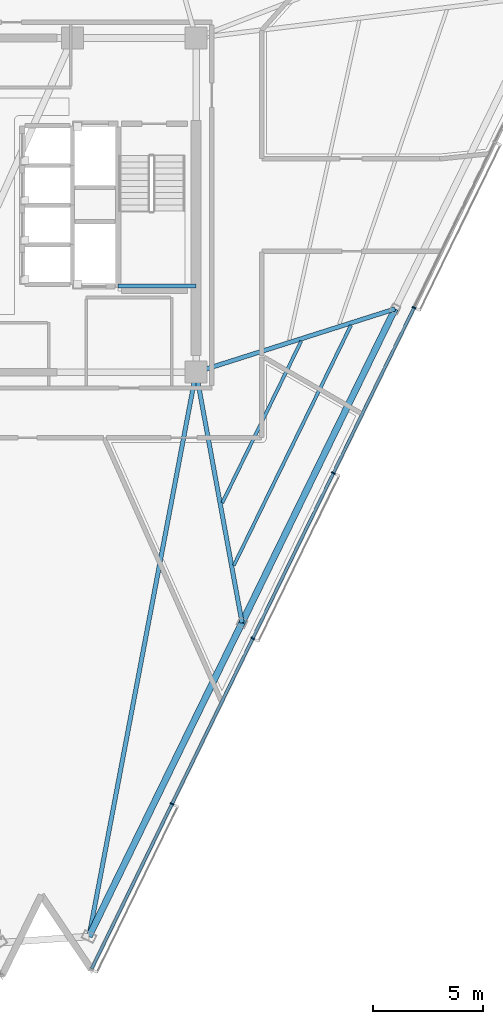
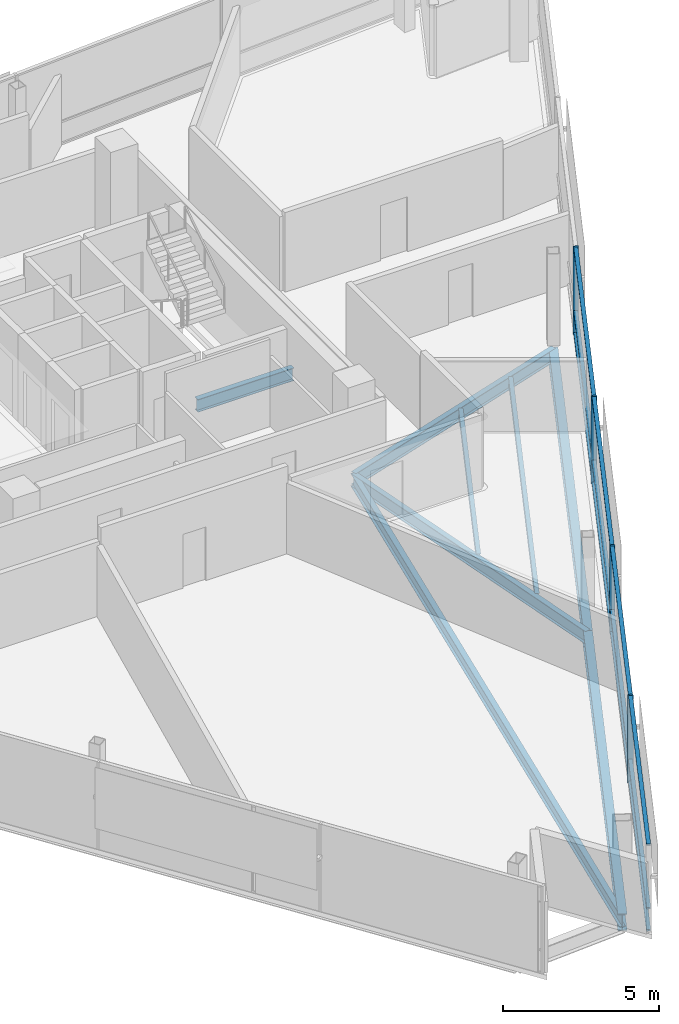
# One storey, part 4 of 16: 16 members, 8 beams, 1 element without a shape of its own.
"""IFC4 building model written with IfcOpenShell, lengths in metres."""

from ifc_helpers import new_model, si_unit, direction, frame, origin, origin_2d, place, context, subcontext, project, spatial, rectangle, i_section, extrude, material, layer, layer_set, material_profile, profile_set, type_object, element, aggregate, save


model = new_model("IFC4")

# Units and contexts
model_context = context("Model", 3, precision=1e-05, world=origin(), true_north=direction((0.0, 1.0)))
body_context = subcontext(model_context, "Body", "Model", "MODEL_VIEW")
ifc_project = project(units=[si_unit("LENGTHUNIT", "METRE"), si_unit("AREAUNIT", "SQUARE_METRE"), si_unit("VOLUMEUNIT", "CUBIC_METRE"), si_unit("PLANEANGLEUNIT", "RADIAN"), si_unit("MASSUNIT", "GRAM", prefix="KILO")], contexts=[model_context])

# Site, building, storey
site_placement = place(None, origin())
site = spatial("IfcSite", under=ifc_project, at=site_placement, CompositionType="ELEMENT")
building_placement = place(site_placement, origin())
building = spatial("IfcBuilding", under=site, at=building_placement, Name="Tharavind Bronze Gate", CompositionType="ELEMENT")
storey_placement = place(building_placement, frame((0.0, 0.0, 260.60009765625)))
storey = spatial("IfcBuildingStorey", under=building, at=storey_placement, Name="L67", CompositionType="ELEMENT", Elevation=260.60009765625)

# Curtain wall, members
ifc_material_1 = material(Name="Anodised Bronze Aluminium", Category="aluminium")
ifc_layer = layer(ifc_material_1, 0.219970703125)
ifc_layer_set = layer_set([ifc_layer], Name="Anodised Bronze Aluminium")
curtain_wall_type = type_object("IfcCurtainWallType", Name="UNITISED CURTAIN WALL UPPER OFFICE", PredefinedType="USERDEFINED", material=ifc_layer_set)
curtain_wall_placement = place(storey_placement, origin())
curtain_wall = element("IfcCurtainWall", 1, at=curtain_wall_placement, inside=storey, type_object=curtain_wall_type, Name="L67 unitised curtain wall upper office CW-L67-S2", ObjectType="UNITISED CURTAIN WALL", PredefinedType="USERDEFINED")
member_type_1 = type_object("IfcMemberType", Name="CURTAIN WALL BRONZE MULLION 65X180", PredefinedType="MULLION", material=ifc_material_1)
member_1_placement = place(storey_placement, frame((7.80419921875, -27.236572265625, 0.0), z_axis=(0.0, 0.0, 1.0), x_axis=(0.43837271548, 0.898793281196, 0.0)))
member_1 = element("IfcMember", 2, at=member_1_placement, type_object=member_type_1, Name="CW-L67-S2 mullion 2", PredefinedType="MULLION", context=body_context, shape_type="SweptSolid", body=[
    extrude(rectangle(XDim=0.06494140625, YDim=0.179931640625, at=origin_2d()), origin(), (0.0, 0.0, 1.0), 3.419921875),
])
member_2_placement = place(storey_placement, frame((11.474365234375, -19.711669921875, 0.0), z_axis=(0.0, 0.0, 1.0), x_axis=(0.43837271548, 0.898793281196, 0.0)))
member_2 = element("IfcMember", 3, at=member_2_placement, type_object=member_type_1, Name="CW-L67-S2 mullion 3", PredefinedType="MULLION", context=body_context, shape_type="SweptSolid", body=[
    extrude(rectangle(XDim=0.06494140625, YDim=0.179931640625, at=origin_2d()), origin(), (0.0, 0.0, 1.0), 3.419921875),
])
member_3_placement = place(storey_placement, frame((15.144775390625, -12.1865234375, 0.0), z_axis=(0.0, 0.0, 1.0), x_axis=(0.43837271548, 0.898793281196, 0.0)))
member_3 = element("IfcMember", 4, at=member_3_placement, type_object=member_type_1, Name="CW-L67-S2 mullion 4", PredefinedType="MULLION", context=body_context, shape_type="SweptSolid", body=[
    extrude(rectangle(XDim=0.06494140625, YDim=0.179931640625, at=origin_2d()), origin(), (0.0, 0.0, 1.0), 3.419921875),
])
member_4_placement = place(storey_placement, frame((18.81494140625, -4.66162109375, 0.0), z_axis=(0.0, 0.0, 1.0), x_axis=(0.43837271548, 0.898793281196, 0.0)))
member_4 = element("IfcMember", 5, at=member_4_placement, type_object=member_type_1, Name="CW-L67-S2 mullion 5", PredefinedType="MULLION", context=body_context, shape_type="SweptSolid", body=[
    extrude(rectangle(XDim=0.06494140625, YDim=0.179931640625, at=origin_2d()), origin(), (0.0, 0.0, 1.0), 3.419921875),
])
member_type_2 = type_object("IfcMemberType", Name="CURTAIN WALL BRONZE TRANSOM 65X140", PredefinedType="USERDEFINED", material=ifc_material_1)
member_5_placement = place(storey_placement, frame((5.968994140625, -30.9990234375, 0.0), z_axis=(0.0, 0.0, 1.0), x_axis=(0.43837271548, 0.898793281196, 0.0)))
member_5 = element("IfcMember", 6, at=member_5_placement, type_object=member_type_2, Name="CW-L67-S2 transom TB1", ObjectType="TRANSOM", PredefinedType="USERDEFINED", context=body_context, shape_type="SweptSolid", body=[
    extrude(rectangle(XDim=8.3193359375, YDim=0.139892578125, at=origin_2d()), origin(), (0.0, 0.0, 1.0), 0.06494140625),
])
member_6_placement = place(storey_placement, frame((5.968994140625, -30.9990234375, 0.867431640625), z_axis=(0.0, 0.0, 1.0), x_axis=(0.43837271548, 0.898793281196, 0.0)))
member_6 = element("IfcMember", 7, at=member_6_placement, type_object=member_type_2, Name="CW-L67-S2 transom TS1", ObjectType="TRANSOM", PredefinedType="USERDEFINED", context=body_context, shape_type="SweptSolid", body=[
    extrude(rectangle(XDim=8.3193359375, YDim=0.139892578125, at=origin_2d()), origin(), (0.0, 0.0, 1.0), 0.06494140625),
])
member_7_placement = place(storey_placement, frame((5.968994140625, -30.9990234375, 3.35498046875), z_axis=(0.0, 0.0, 1.0), x_axis=(0.43837271548, 0.898793281196, 0.0)))
member_7 = element("IfcMember", 8, at=member_7_placement, type_object=member_type_2, Name="CW-L67-S2 transom TT1", ObjectType="TRANSOM", PredefinedType="USERDEFINED", context=body_context, shape_type="SweptSolid", body=[
    extrude(rectangle(XDim=8.3193359375, YDim=0.139892578125, at=origin_2d()), origin(), (0.0, 0.0, 1.0), 0.06494140625),
])
member_8_placement = place(storey_placement, frame((9.639404296875, -23.47412109375, 0.0), z_axis=(0.0, 0.0, 1.0), x_axis=(0.43837271548, 0.898793281196, 0.0)))
member_8 = element("IfcMember", 9, at=member_8_placement, type_object=member_type_2, Name="CW-L67-S2 transom TB2", ObjectType="TRANSOM", PredefinedType="USERDEFINED", context=body_context, shape_type="SweptSolid", body=[
    extrude(rectangle(XDim=8.3193359375, YDim=0.139892578125, at=origin_2d()), origin(), (0.0, 0.0, 1.0), 0.06494140625),
])
member_9_placement = place(storey_placement, frame((9.639404296875, -23.47412109375, 0.867431640625), z_axis=(0.0, 0.0, 1.0), x_axis=(0.43837271548, 0.898793281196, 0.0)))
member_9 = element("IfcMember", 10, at=member_9_placement, type_object=member_type_2, Name="CW-L67-S2 transom TS2", ObjectType="TRANSOM", PredefinedType="USERDEFINED", context=body_context, shape_type="SweptSolid", body=[
    extrude(rectangle(XDim=8.3193359375, YDim=0.139892578125, at=origin_2d()), origin(), (0.0, 0.0, 1.0), 0.06494140625),
])
member_10_placement = place(storey_placement, frame((9.639404296875, -23.47412109375, 3.35498046875), z_axis=(0.0, 0.0, 1.0), x_axis=(0.43837271548, 0.898793281196, 0.0)))
member_10 = element("IfcMember", 11, at=member_10_placement, type_object=member_type_2, Name="CW-L67-S2 transom TT2", ObjectType="TRANSOM", PredefinedType="USERDEFINED", context=body_context, shape_type="SweptSolid", body=[
    extrude(rectangle(XDim=8.3193359375, YDim=0.139892578125, at=origin_2d()), origin(), (0.0, 0.0, 1.0), 0.06494140625),
])
member_11_placement = place(storey_placement, frame((13.3095703125, -15.94921875, 0.0), z_axis=(0.0, 0.0, 1.0), x_axis=(0.43837271548, 0.898793281196, 0.0)))
member_11 = element("IfcMember", 12, at=member_11_placement, type_object=member_type_2, Name="CW-L67-S2 transom TB3", ObjectType="TRANSOM", PredefinedType="USERDEFINED", context=body_context, shape_type="SweptSolid", body=[
    extrude(rectangle(XDim=8.3193359375, YDim=0.139892578125, at=origin_2d()), origin(), (0.0, 0.0, 1.0), 0.06494140625),
])
member_12_placement = place(storey_placement, frame((13.3095703125, -15.94921875, 0.867431640625), z_axis=(0.0, 0.0, 1.0), x_axis=(0.43837271548, 0.898793281196, 0.0)))
member_12 = element("IfcMember", 13, at=member_12_placement, type_object=member_type_2, Name="CW-L67-S2 transom TS3", ObjectType="TRANSOM", PredefinedType="USERDEFINED", context=body_context, shape_type="SweptSolid", body=[
    extrude(rectangle(XDim=8.3193359375, YDim=0.139892578125, at=origin_2d()), origin(), (0.0, 0.0, 1.0), 0.06494140625),
])
member_13_placement = place(storey_placement, frame((13.3095703125, -15.94921875, 3.35498046875), z_axis=(0.0, 0.0, 1.0), x_axis=(0.43837271548, 0.898793281196, 0.0)))
member_13 = element("IfcMember", 14, at=member_13_placement, type_object=member_type_2, Name="CW-L67-S2 transom TT3", ObjectType="TRANSOM", PredefinedType="USERDEFINED", context=body_context, shape_type="SweptSolid", body=[
    extrude(rectangle(XDim=8.3193359375, YDim=0.139892578125, at=origin_2d()), origin(), (0.0, 0.0, 1.0), 0.06494140625),
])
member_14_placement = place(storey_placement, frame((16.979736328125, -8.424072265625, 0.0), z_axis=(0.0, 0.0, 1.0), x_axis=(0.43837271548, 0.898793281196, 0.0)))
member_14 = element("IfcMember", 15, at=member_14_placement, type_object=member_type_2, Name="CW-L67-S2 transom TB4", ObjectType="TRANSOM", PredefinedType="USERDEFINED", context=body_context, shape_type="SweptSolid", body=[
    extrude(rectangle(XDim=8.3193359375, YDim=0.139892578125, at=origin_2d()), origin(), (0.0, 0.0, 1.0), 0.06494140625),
])
member_15_placement = place(storey_placement, frame((16.979736328125, -8.424072265625, 0.867431640625), z_axis=(0.0, 0.0, 1.0), x_axis=(0.43837271548, 0.898793281196, 0.0)))
member_15 = element("IfcMember", 16, at=member_15_placement, type_object=member_type_2, Name="CW-L67-S2 transom TS4", ObjectType="TRANSOM", PredefinedType="USERDEFINED", context=body_context, shape_type="SweptSolid", body=[
    extrude(rectangle(XDim=8.3193359375, YDim=0.139892578125, at=origin_2d()), origin(), (0.0, 0.0, 1.0), 0.06494140625),
])
member_16_placement = place(storey_placement, frame((16.979736328125, -8.424072265625, 3.35498046875), z_axis=(0.0, 0.0, 1.0), x_axis=(0.43837271548, 0.898793281196, 0.0)))
member_16 = element("IfcMember", 17, at=member_16_placement, type_object=member_type_2, Name="CW-L67-S2 transom TT4", ObjectType="TRANSOM", PredefinedType="USERDEFINED", context=body_context, shape_type="SweptSolid", body=[
    extrude(rectangle(XDim=8.3193359375, YDim=0.139892578125, at=origin_2d()), origin(), (0.0, 0.0, 1.0), 0.06494140625),
])
aggregate(curtain_wall, [member_1, member_2, member_3, member_4, member_5, member_6, member_7, member_8, member_9, member_10, member_11, member_12, member_13, member_14, member_15, member_16])

# Beams
ifc_material_2 = material(Name="Steel S355", Category="steel")
ifc_material_profile_1 = material_profile(ifc_material_2, i_section(OverallWidth=0.300048828125, OverallDepth=0.64990234375, WebThickness=0.01611328125, FlangeThickness=0.031005859375, at=origin_2d()), Name="HE650B")
ifc_profile_set_1 = profile_set([ifc_material_profile_1], Name="Steel S355")
beam_type_1 = type_object("IfcBeamType", Name="PRIMARY GIRDER HE650B", PredefinedType="USERDEFINED", material=ifc_profile_set_1)
for number, where, z_axis, x_axis, name in (
    (18, (4.029296875, -33.26513671875, -0.505126953125), (0.43838485681, 0.898787359346, 0.0), (-0.898787359346, 0.43838485681, 0.0), "L67 primary girder he650b BM-L67-PRG05"),
    (19, (10.990234375, -18.99365234375, -0.505126953125), (0.438366378116, 0.898796372121, 0.0), (-0.898796372121, 0.438366378116, 0.0), "L67 primary girder he650b BM-L67-PRG06"),
):
    element("IfcBeam", number, at=place(storey_placement, frame(where, z_axis=z_axis, x_axis=x_axis)), inside=storey, type_object=beam_type_1, Name=name, ObjectType="GIRDER", PredefinedType="USERDEFINED", context=body_context, shape_type="SweptSolid", body=[
        extrude(i_section(OverallWidth=0.300048828125, OverallDepth=0.64990234375, WebThickness=0.01611328125, FlangeThickness=0.031005859375, at=origin_2d()), origin(), (0.0, 0.0, 1.0), 15.878662109375),
    ])
ifc_material_profile_2 = material_profile(ifc_material_2, i_section(OverallWidth=0.199951171875, OverallDepth=0.5, WebThickness=0.01025390625, FlangeThickness=0.01611328125, at=origin_2d()), Name="IPE500")
ifc_profile_set_2 = profile_set([ifc_material_profile_2], Name="Steel S355")
beam_type_2 = type_object("IfcBeamType", Name="PRIMARY GIRDER IPE500", PredefinedType="USERDEFINED", material=ifc_profile_set_2)
beam_1_placement = place(storey_placement, frame((5.35009765625, -3.679931640625, 1.349853515625), z_axis=(1.0, 0.0, 0.0), x_axis=(0.0, 1.0, 0.0)))
element("IfcBeam", 20, at=beam_1_placement, inside=storey, type_object=beam_type_2, Name="L67 primary girder ipe500 BM-LD-ST2-L67-1", ObjectType="GIRDER", PredefinedType="USERDEFINED", context=body_context, shape_type="SweptSolid", body=[
    extrude(i_section(OverallWidth=0.199951171875, OverallDepth=0.5, WebThickness=0.01025390625, FlangeThickness=0.01611328125, at=origin_2d()), origin(), (0.0, 0.0, 1.0), 3.5498046875),
])
beam_2_placement = place(storey_placement, frame((4.029296875, -33.26513671875, -0.43017578125), z_axis=(0.186448126873, 0.982464806487, 0.0), x_axis=(-0.982464806487, 0.186448126873, 0.0)))
element("IfcBeam", 21, at=beam_2_placement, inside=storey, type_object=beam_type_2, Name="L67 primary girder ipe500 BM-L67-RAD05", ObjectType="GIRDER", PredefinedType="USERDEFINED", context=body_context, shape_type="SweptSolid", body=[
    extrude(i_section(OverallWidth=0.199951171875, OverallDepth=0.5, WebThickness=0.01025390625, FlangeThickness=0.01611328125, at=origin_2d()), origin(), (0.0, 0.0, 1.0), 26.123046875),
])
beam_3_placement = place(storey_placement, frame((10.990234375, -18.99365234375, -0.43017578125), z_axis=(-0.180454290484, 0.98358337168, 0.0), x_axis=(-0.98358337168, -0.180454290484, 0.0)))
element("IfcBeam", 22, at=beam_3_placement, inside=storey, type_object=beam_type_2, Name="L67 primary girder ipe500 BM-L67-RAD06", ObjectType="GIRDER", PredefinedType="USERDEFINED", context=body_context, shape_type="SweptSolid", body=[
    extrude(i_section(OverallWidth=0.199951171875, OverallDepth=0.5, WebThickness=0.01025390625, FlangeThickness=0.01611328125, at=origin_2d()), origin(), (0.0, 0.0, 1.0), 11.583740234375),
])
beam_4_placement = place(storey_placement, frame((17.950927734375, -4.721923828125, -0.43017578125), z_axis=(-0.952977418186, -0.303041318021, 0.0), x_axis=(0.303041318021, -0.952977418186, 0.0)))
element("IfcBeam", 23, at=beam_4_placement, inside=storey, type_object=beam_type_2, Name="L67 primary girder ipe500 BM-L67-RAD07", ObjectType="GIRDER", PredefinedType="USERDEFINED", context=body_context, shape_type="SweptSolid", body=[
    extrude(i_section(OverallWidth=0.199951171875, OverallDepth=0.5, WebThickness=0.01025390625, FlangeThickness=0.01611328125, at=origin_2d()), origin(), (0.0, 0.0, 1.0), 9.49755859375),
])
ifc_material_profile_3 = material_profile(ifc_material_2, i_section(OverallWidth=0.14990234375, OverallDepth=0.300048828125, WebThickness=0.007080078125, FlangeThickness=0.0107421875, at=origin_2d()), Name="IPE300")
ifc_profile_set_3 = profile_set([ifc_material_profile_3], Name="Steel S355")
beam_type_3 = type_object("IfcBeamType", Name="SECONDARY FLOOR JOIST IPE300", PredefinedType="JOIST", material=ifc_profile_set_3)
beam_5_placement = place(storey_placement, frame((10.093994140625, -13.54052734375, -0.330078125), z_axis=(0.438357774769, 0.898800568146, 0.0), x_axis=(-0.898800568146, 0.438357774769, 0.0)))
element("IfcBeam", 24, at=beam_5_placement, inside=storey, type_object=beam_type_3, Name="L67 secondary floor joist ipe300 BM-L67-JSTA06", PredefinedType="JOIST", context=body_context, shape_type="SweptSolid", body=[
    extrude(i_section(OverallWidth=0.14990234375, OverallDepth=0.300048828125, WebThickness=0.007080078125, FlangeThickness=0.0107421875, at=origin_2d()), origin(), (0.0, 0.0, 1.0), 8.180419921875),
])
beam_6_placement = place(storey_placement, frame((10.616455078125, -16.388916015625, -0.330078125), z_axis=(0.438366623032, 0.898796252669, 0.0), x_axis=(-0.898796252669, 0.438366623032, 0.0)))
element("IfcBeam", 25, at=beam_6_placement, inside=storey, type_object=beam_type_3, Name="L67 secondary floor joist ipe300 BM-L67-JSTB06", PredefinedType="JOIST", context=body_context, shape_type="SweptSolid", body=[
    extrude(i_section(OverallWidth=0.14990234375, OverallDepth=0.300048828125, WebThickness=0.007080078125, FlangeThickness=0.0107421875, at=origin_2d()), origin(), (0.0, 0.0, 1.0), 12.150146484375),
])

save(model, "model.ifc")
